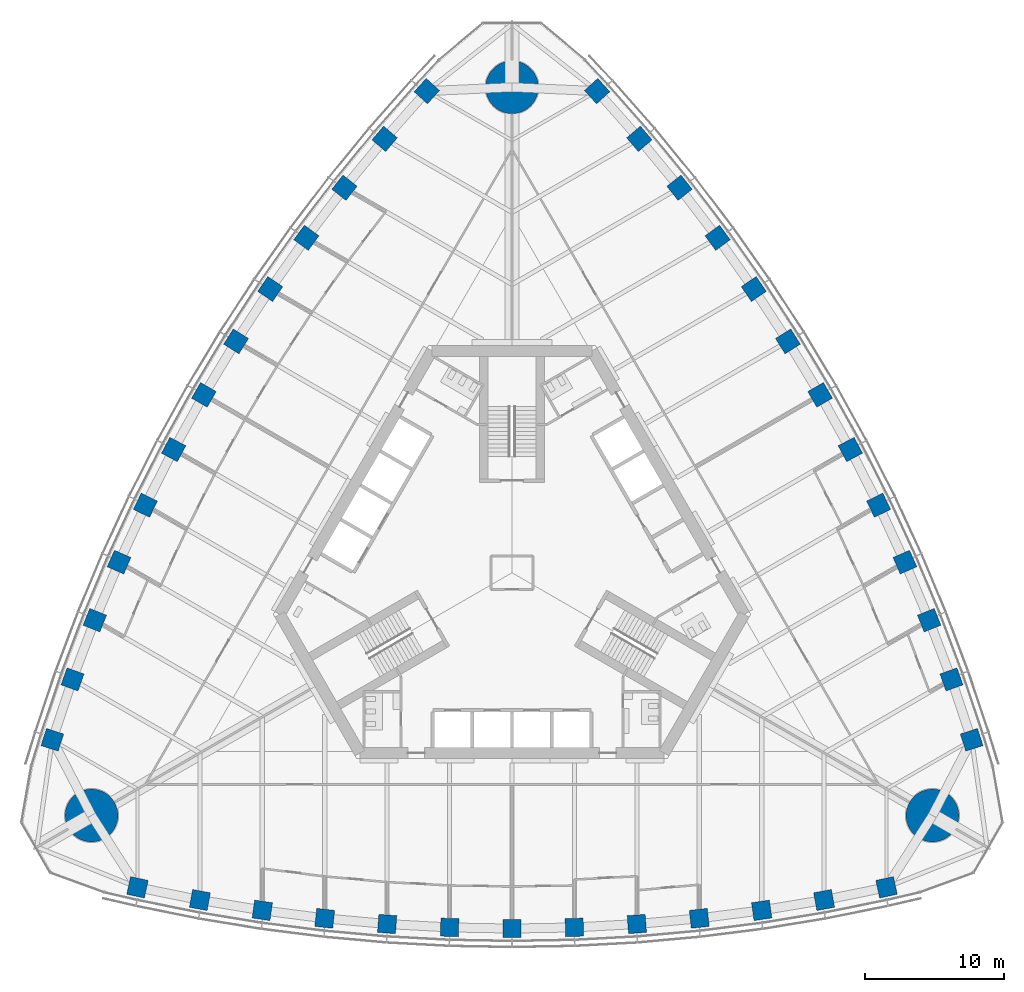
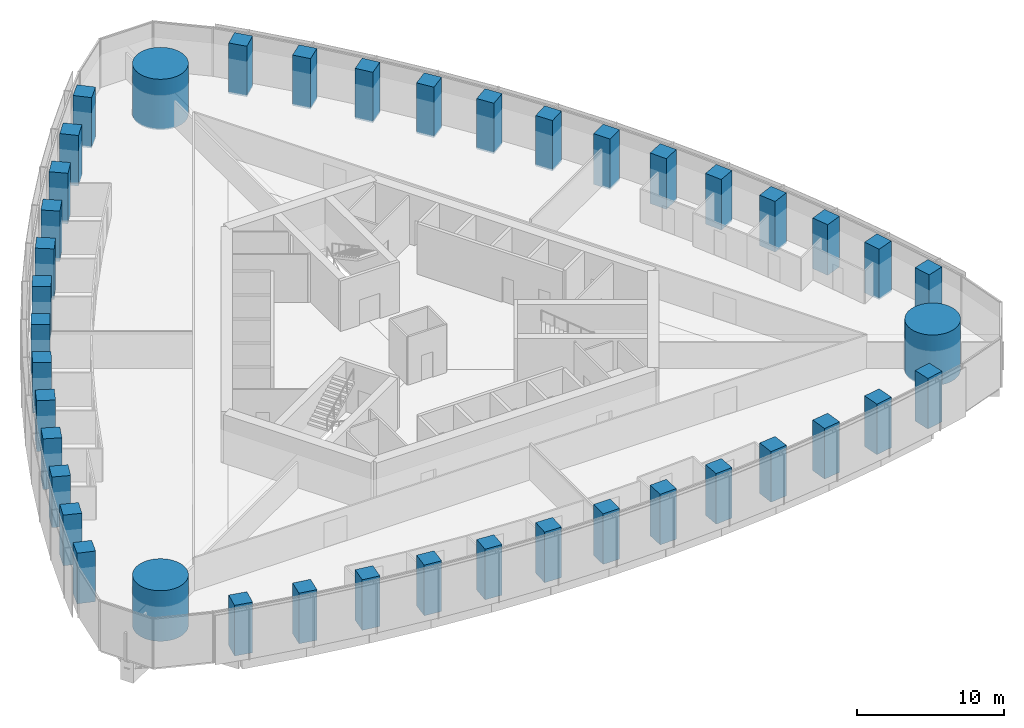
# One storey, part 1 of 19: 42 columns.
"""IFC4 building model written with IfcOpenShell, lengths in metres."""

import ifcopenshell
import ifcopenshell.guid

model = None  # the IFC model being written
_history = None  # IfcOwnerHistory: only IFC2X3 demands one
_inside = {}  # id of a spatial element -> (the spatial element, [elements in it])
_under = {}  # id of a project, library or spatial element -> (it, [spatial elements below it])
_declared = {}  # id of a project -> (the project, [libraries it declares])
_typed = {}  # id of a type object -> (the type object, [elements of that type])
_made_of = {}  # id of a material, layer set ... -> (it, [elements and type objects made of it])


def new_model(schema):
    """Start an empty IFC model of exactly this schema.

    Asked for "IFC4X3", IfcOpenShell would pick the latest addendum, in which some entities
    have other attributes; the version numbers below select the first issue.
    IFC2X3 requires an IfcOwnerHistory on every rooted entity: one is made here for all.
    """
    global model, _history
    if schema == "IFC4X3":
        model = ifcopenshell.file(schema_version=(4, 3, 0, 0))
    else:
        model = ifcopenshell.file(schema=schema)
    _inside.clear()
    _under.clear()
    _declared.clear()
    _typed.clear()
    _made_of.clear()
    _history = None
    if model.schema == "IFC2X3":
        org = make("IfcOrganization", Name="unknown")
        user = make(
            "IfcPersonAndOrganization",
            ThePerson=make("IfcPerson", FamilyName="unknown"),
            TheOrganization=org,
        )
        app = make(
            "IfcApplication",
            ApplicationDeveloper=org,
            Version="unknown",
            ApplicationFullName="unknown",
            ApplicationIdentifier="unknown",
        )
        _history = make(
            "IfcOwnerHistory",
            OwningUser=user,
            OwningApplication=app,
            ChangeAction="ADDED",
            CreationDate=0,
        )
    return model


def make(cls, **values):
    """One entity of the class cls with the attributes given. An attribute that is None is left unset."""
    return model.create_entity(
        cls, **{name: value for name, value in values.items() if value is not None}
    )


def rooted(cls, **values):
    """An entity with a GlobalId (a new one), such as an element, a storey or a relation."""
    return make(cls, GlobalId=ifcopenshell.guid.new(), OwnerHistory=_history, **values)


def si_unit(unit_type, name, prefix=None):
    """IfcSIUnit, for example si_unit("LENGTHUNIT", "METRE", prefix="MILLI")."""
    return make("IfcSIUnit", UnitType=unit_type, Prefix=prefix, Name=name)


def assignment(units):
    """IfcUnitAssignment: the units of a project."""
    return None if units is None else make("IfcUnitAssignment", Units=units)


def point(xyz):
    """IfcCartesianPoint."""
    return None if xyz is None else make("IfcCartesianPoint", Coordinates=xyz)


def direction(xyz):
    """IfcDirection."""
    return None if xyz is None else make("IfcDirection", DirectionRatios=xyz)


def frame(location, z_axis=None, x_axis=None):
    """IfcAxis2Placement3D, a coordinate frame: its origin and axes. An axis left out is left unset."""
    return make(
        "IfcAxis2Placement3D",
        Location=point(location),
        Axis=direction(z_axis),
        RefDirection=direction(x_axis),
    )


def frame_2d(location, x_axis=None):
    """IfcAxis2Placement2D, a coordinate frame in the plane: its origin and x axis."""
    return make(
        "IfcAxis2Placement2D", Location=point(location), RefDirection=direction(x_axis)
    )


def origin():
    """The frame at (0, 0, 0) with its axes left unset."""
    return frame((0.0, 0.0, 0.0))


def origin_2d():
    """The frame at (0, 0) in the plane with its x axis left unset."""
    return frame_2d((0.0, 0.0))


def place(relative_to, where):
    """IfcLocalPlacement: puts the frame where relative to a parent placement (None: the world)."""
    return make(
        "IfcLocalPlacement", PlacementRelTo=relative_to, RelativePlacement=where
    )


def context(
    kind, dimensions, precision=None, world=None, true_north=None, identifier=None
):
    """IfcGeometricRepresentationContext, for example the 3D "Model" context."""
    return make(
        "IfcGeometricRepresentationContext",
        ContextIdentifier=identifier,
        ContextType=kind,
        CoordinateSpaceDimension=dimensions,
        Precision=precision,
        WorldCoordinateSystem=world,
        TrueNorth=true_north,
    )


def subcontext(parent, identifier, kind, view, scale=None):
    """IfcGeometricRepresentationSubContext, for example "Body" below "Model"."""
    return make(
        "IfcGeometricRepresentationSubContext",
        ContextIdentifier=identifier,
        ContextType=kind,
        ParentContext=parent,
        TargetScale=scale,
        TargetView=view,
    )


def project(units=None, contexts=None):
    """IfcProject with its units and contexts."""
    return rooted(
        "IfcProject",
        Name="project",
        RepresentationContexts=contexts,
        UnitsInContext=assignment(units),
    )


def spatial(cls, under=None, at=None, **own):
    """A site, building, storey or space (cls), placed at a placement, below another one or the project."""
    s = rooted(cls, ObjectPlacement=at, **own)
    if under is not None:
        _under.setdefault(under.id(), (under, []))[1].append(s)
    return s


def profile(cls, at=None, kind="AREA", **sizes):
    """A parametric profile (cls). Its sizes go by their IFC names, for example OverallWidth=200.0."""
    return make(cls, ProfileType=kind, Position=at, **sizes)


def rectangle(**sizes):
    """IfcRectangleProfileDef."""
    return profile("IfcRectangleProfileDef", **sizes)


def circle(**sizes):
    """IfcCircleProfileDef."""
    return profile("IfcCircleProfileDef", **sizes)


def extrude(swept, where, along, depth):
    """IfcExtrudedAreaSolid: the profile swept, set in the frame where, extruded along a direction by depth."""
    return make(
        "IfcExtrudedAreaSolid",
        SweptArea=swept,
        Position=where,
        ExtrudedDirection=direction(along),
        Depth=depth,
    )


def shape(context_of_items, identifier, shape_type, items):
    """IfcShapeRepresentation: the items that make up one representation, for example the "Body"."""
    return make(
        "IfcShapeRepresentation",
        ContextOfItems=context_of_items,
        RepresentationIdentifier=identifier,
        RepresentationType=shape_type,
        Items=items,
    )


def material(Name=None, Category=None):
    """IfcMaterial."""
    return make("IfcMaterial", Name=Name, Category=Category)


def material_profile(
    of_material, cross_section, Name=None, Category=None, Priority=None
):
    """IfcMaterialProfile: a cross section and its material."""
    return make(
        "IfcMaterialProfile",
        Name=Name,
        Material=of_material,
        Profile=cross_section,
        Priority=Priority,
        Category=Category,
    )


def profile_set(profiles, Name=None, composite=None):
    """IfcMaterialProfileSet."""
    return make(
        "IfcMaterialProfileSet",
        Name=Name,
        MaterialProfiles=profiles,
        CompositeProfile=composite,
    )


def made_of(thing, what):
    """Note that an element or type object is made of a material, layer set ...; save() writes the relation."""
    if what is not None:
        _made_of.setdefault(what.id(), (what, []))[1].append(thing)
    return thing


def type_object(cls, material=None, **own):
    """A type object (cls), such as IfcWallType, which elements share."""
    return made_of(rooted(cls, **own), material)


def element(
    cls,
    number,
    at=None,
    inside=None,
    cuts=None,
    type_object=None,
    material=None,
    context=None,
    identifier="Body",
    shape_type=None,
    held_by="IfcProductDefinitionShape",
    body=None,
    shapes=None,
    **own,
):
    """One element of the class cls, such as IfcWall. Its Tag is "e" and its number.

    at: its placement. inside: the storey or other place that contains it. cuts: it is an
    opening in that element (IfcRelVoidsElement). A single representation is given by context,
    identifier, shape_type and body (its items); several are given by shapes. held_by: the class
    of the entity that holds the representations. save() writes the other relations.
    """
    e = rooted(cls, Tag="e%d" % number, ObjectPlacement=at, **own)
    if body is not None:
        shapes = [shape(context, identifier, shape_type, body)]
    if shapes is not None:
        e.Representation = make(held_by, Representations=shapes)
    if inside is not None:
        _inside.setdefault(inside.id(), (inside, []))[1].append(e)
    if cuts is not None:
        rooted(
            "IfcRelVoidsElement", RelatingBuildingElement=cuts, RelatedOpeningElement=e
        )
    if type_object is not None:
        _typed.setdefault(type_object.id(), (type_object, []))[1].append(e)
    return made_of(e, material)


def aggregate(whole, parts):
    """IfcRelAggregates: a whole, such as a stair, and the parts it consists of."""
    return rooted("IfcRelAggregates", RelatingObject=whole, RelatedObjects=parts)


def save(model, path):
    """Write the relations noted so far, then the file.

    IfcRelAggregates (storeys below a building ...), IfcRelContainedInSpatialStructure (elements
    in a storey), IfcRelDefinesByType, IfcRelAssociatesMaterial and IfcRelDeclares: one each for
    every whole, place, type object, material and project.
    """
    for whole, parts in _under.values():
        aggregate(whole, parts)
    for where, things in _inside.values():
        rooted(
            "IfcRelContainedInSpatialStructure",
            RelatedElements=things,
            RelatingStructure=where,
        )
    for kind, things in _typed.values():
        rooted("IfcRelDefinesByType", RelatedObjects=things, RelatingType=kind)
    for what, things in _made_of.values():
        rooted("IfcRelAssociatesMaterial", RelatedObjects=things, RelatingMaterial=what)
    for by, libraries in _declared.values():
        rooted("IfcRelDeclares", RelatingContext=by, RelatedDefinitions=libraries)
    model.write(path)


model = new_model("IFC4")

# Units and contexts
model_context = context("Model", 3, precision=1e-05, world=origin(), true_north=direction((0.0, 1.0)))
body_context = subcontext(model_context, "Body", "Model", "MODEL_VIEW")
ifc_project = project(units=[si_unit("LENGTHUNIT", "METRE"), si_unit("AREAUNIT", "SQUARE_METRE"), si_unit("VOLUMEUNIT", "CUBIC_METRE"), si_unit("PLANEANGLEUNIT", "RADIAN"), si_unit("MASSUNIT", "GRAM", prefix="KILO")], contexts=[model_context])

# Site, building, storey
site_placement = place(None, origin())
site = spatial("IfcSite", under=ifc_project, at=site_placement, CompositionType="ELEMENT")
building_placement = place(site_placement, origin())
building = spatial("IfcBuilding", under=site, at=building_placement, Name="Trefoil Bronze Tower", CompositionType="ELEMENT")
storey_placement = place(building_placement, frame((0.0, 0.0, 128.300048828125)))
storey = spatial("IfcBuildingStorey", under=building, at=storey_placement, Name="L29", CompositionType="ELEMENT", Elevation=128.300048828125)

# Columns
ifc_material_1 = material(Name="Concrete B80", Category="concrete")
ifc_material_profile_1 = material_profile(ifc_material_1, circle(Radius=1.89990234375, at=origin_2d()), Name="RC D3800")
ifc_profile_set_1 = profile_set([ifc_material_profile_1], Name="Concrete B80")
column_type_1 = type_object("IfcColumnType", Name="Mega column RC D3800", PredefinedType="COLUMN", material=ifc_profile_set_1)
for number, where, z_axis, x_axis, name in (
    (1, (30.310791015625, -17.5, 0.0), (0.0, 0.0, 1.0), (1.0, 0.0, 0.0), "Mega column K1 L29"),
    (2, (0.0, 35.0, 0.0), (0.0, 0.0, 1.0), (1.0, 0.0, 0.0), "Mega column K2 L29"),
    (3, (-30.310791015625, -17.5, 0.0), (0.0, 0.0, 1.0), (1.0, 0.0, 0.0), "Mega column K3 L29"),
):
    element("IfcColumn", number, at=place(storey_placement, frame(where, z_axis=z_axis, x_axis=x_axis)), inside=storey, type_object=column_type_1, Name=name, PredefinedType="COLUMN", context=body_context, shape_type="SweptSolid", body=[
        extrude(circle(Radius=1.89990234375, at=origin_2d()), origin(), (0.0, 0.0, 1.0), 4.199951171875),
    ])
ifc_material_2 = material(Name="Concrete B80", Category="concrete")
ifc_material_profile_2 = material_profile(ifc_material_2, rectangle(XDim=1.300048828125, YDim=1.300048828125, at=origin_2d()), Name="RC 1300x1300")
ifc_profile_set_2 = profile_set([ifc_material_profile_2], Name="Concrete B80")
column_type_2 = type_object("IfcColumnType", Name="Tube column RC 1300x1300", PredefinedType="COLUMN", material=ifc_profile_set_2)
for number, where, z_axis, x_axis, name in (
    (4, (-27.0, -22.67724609375, 0.0), (0.0, 0.0, 1.0), (0.977276081214, -0.21197042503, 0.0), "Tube column F1/-6 L29"),
    (5, (-22.5, -23.592529296875, 0.0), (0.0, 0.0, 1.0), (0.98362250613, -0.180240853954, 0.0), "Tube column F1/-5 L29"),
    (6, (-18.0, -24.337158203125, 0.0), (0.0, 0.0, 1.0), (0.989549714366, -0.144192103798, 0.0), "Tube column F1/-4 L29"),
    (7, (-13.5, -24.9130859375, 0.0), (0.0, 0.0, 1.0), (0.994135267447, -0.108143747013, 0.0), "Tube column F1/-3 L29"),
    (8, (-9.0, -25.32275390625, 0.0), (0.0, 0.0, 1.0), (0.997397720802, -0.072095676284, 0.0), "Tube column F1/-2 L29"),
    (9, (-4.5, -25.568115234375, 0.0), (0.0, 0.0, 1.0), (0.999350067136, -0.036047792107, 0.0), "Tube column F1/-1 L29"),
    (10, (0.0, -25.649658203125, 0.0), (0.0, 0.0, 1.0), (1.0, 0.0, 0.0), "Tube column F1/+0 L29"),
    (11, (4.5, -25.568115234375, 0.0), (0.0, 0.0, 1.0), (0.999350067136, 0.036047792107, 0.0), "Tube column F1/+1 L29"),
    (12, (9.0, -25.32275390625, 0.0), (0.0, 0.0, 1.0), (0.997397720802, 0.072095676284, 0.0), "Tube column F1/+2 L29"),
    (13, (13.5, -24.9130859375, 0.0), (0.0, 0.0, 1.0), (0.994135267447, 0.108143747013, 0.0), "Tube column F1/+3 L29"),
    (14, (18.0, -24.337158203125, 0.0), (0.0, 0.0, 1.0), (0.989549714366, 0.144192103798, 0.0), "Tube column F1/+4 L29"),
    (15, (22.5, -23.592529296875, 0.0), (0.0, 0.0, 1.0), (0.98362250613, 0.180240853954, 0.0), "Tube column F1/+5 L29"),
    (16, (27.0, -22.67724609375, 0.0), (0.0, 0.0, 1.0), (0.977276081214, 0.21197042503, 0.0), "Tube column F1/+6 L29"),
    (17, (33.13916015625, -12.044189453125, 0.0), (0.0, 0.0, 1.0), (-0.30506626768, 0.952331125357, 0.0), "Tube column F2/-6 L29"),
    (18, (31.681884765625, -7.689208984375, 0.0), (0.0, 0.0, 1.0), (-0.335718094742, 0.94196250502, 0.0), "Tube column F2/-5 L29"),
    (19, (30.07666015625, -3.419921875, 0.0), (0.0, 0.0, 1.0), (-0.369900832269, 0.929071242848, 0.0), "Tube column F2/-4 L29"),
    (20, (28.325439453125, 0.76513671875, 0.0), (0.0, 0.0, 1.0), (-0.40341240155, 0.915018269914, 0.0), "Tube column F2/-3 L29"),
    (21, (26.43017578125, 4.8671875, 0.0), (0.0, 0.0, 1.0), (-0.436262173236, 0.899819602033, 0.0), "Tube column F2/-2 L29"),
    (22, (24.392578125, 8.886962890625, 0.0), (0.0, 0.0, 1.0), (-0.468456729853, 0.883486441467, 0.0), "Tube column F2/-1 L29"),
    (23, (22.21337890625, 12.824951171875, 0.0), (0.0, 0.0, 1.0), (-0.5, 0.866025403784, 0.0), "Tube column F2/+0 L29"),
    (24, (19.892578125, 16.68115234375, 0.0), (0.0, 0.0, 1.0), (-0.530893337283, 0.84743864936, 0.0), "Tube column F2/+1 L29"),
    (25, (17.43017578125, 20.45556640625, 0.0), (0.0, 0.0, 1.0), (-0.561135547566, 0.827723925749, 0.0), "Tube column F2/+2 L29"),
    (26, (14.825439453125, 24.14794921875, 0.0), (0.0, 0.0, 1.0), (-0.590722865897, 0.806874522901, 0.0), "Tube column F2/+3 L29"),
    (27, (12.07666015625, 27.757080078125, 0.0), (0.0, 0.0, 1.0), (-0.619648882098, 0.78487913905, 0.0), "Tube column F2/+4 L29"),
    (28, (9.181884765625, 31.281982421875, 0.0), (0.0, 0.0, 1.0), (-0.647904411389, 0.761721651066, 0.0), "Tube column F2/+5 L29"),
    (29, (6.13916015625, 34.72119140625, 0.0), (0.0, 0.0, 1.0), (-0.672209813534, 0.740360700327, 0.0), "Tube column F2/+6 L29"),
    (30, (-6.13916015625, 34.72119140625, 0.0), (0.0, 0.0, 1.0), (-0.672209813534, -0.740360700327, 0.0), "Tube column F3/-6 L29"),
    (31, (-9.181884765625, 31.281982421875, 0.0), (0.0, 0.0, 1.0), (-0.647904411389, -0.761721651066, 0.0), "Tube column F3/-5 L29"),
    (32, (-12.07666015625, 27.757080078125, 0.0), (0.0, 0.0, 1.0), (-0.619648882098, -0.78487913905, 0.0), "Tube column F3/-4 L29"),
    (33, (-14.825439453125, 24.14794921875, 0.0), (0.0, 0.0, 1.0), (-0.590722865897, -0.806874522901, 0.0), "Tube column F3/-3 L29"),
    (34, (-17.43017578125, 20.45556640625, 0.0), (0.0, 0.0, 1.0), (-0.561135547566, -0.827723925749, 0.0), "Tube column F3/-2 L29"),
    (35, (-19.892578125, 16.68115234375, 0.0), (0.0, 0.0, 1.0), (-0.530893337283, -0.84743864936, 0.0), "Tube column F3/-1 L29"),
    (36, (-22.21337890625, 12.824951171875, 0.0), (0.0, 0.0, 1.0), (-0.5, -0.866025403784, 0.0), "Tube column F3/+0 L29"),
    (37, (-24.392578125, 8.886962890625, 0.0), (0.0, 0.0, 1.0), (-0.468456729853, -0.883486441467, 0.0), "Tube column F3/+1 L29"),
    (38, (-26.43017578125, 4.8671875, 0.0), (0.0, 0.0, 1.0), (-0.436262173236, -0.899819602033, 0.0), "Tube column F3/+2 L29"),
    (39, (-28.325439453125, 0.76513671875, 0.0), (0.0, 0.0, 1.0), (-0.40341240155, -0.915018269914, 0.0), "Tube column F3/+3 L29"),
    (40, (-30.07666015625, -3.419921875, 0.0), (0.0, 0.0, 1.0), (-0.369900832269, -0.929071242848, 0.0), "Tube column F3/+4 L29"),
    (41, (-31.681884765625, -7.689208984375, 0.0), (0.0, 0.0, 1.0), (-0.335718094742, -0.94196250502, 0.0), "Tube column F3/+5 L29"),
    (42, (-33.13916015625, -12.044189453125, 0.0), (0.0, 0.0, 1.0), (-0.30506626768, -0.952331125357, 0.0), "Tube column F3/+6 L29"),
):
    element("IfcColumn", number, at=place(storey_placement, frame(where, z_axis=z_axis, x_axis=x_axis)), inside=storey, type_object=column_type_2, Name=name, PredefinedType="COLUMN", context=body_context, shape_type="SweptSolid", body=[
        extrude(rectangle(XDim=1.300048828125, YDim=1.300048828125, at=origin_2d()), origin(), (0.0, 0.0, 1.0), 4.199951171875),
    ])

save(model, "model.ifc")
